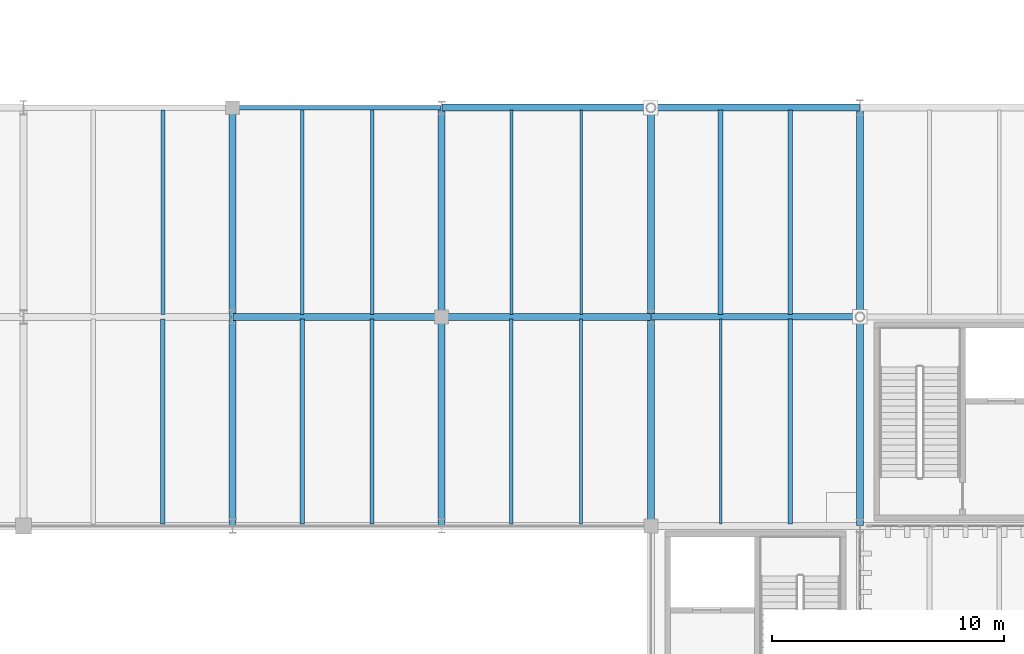
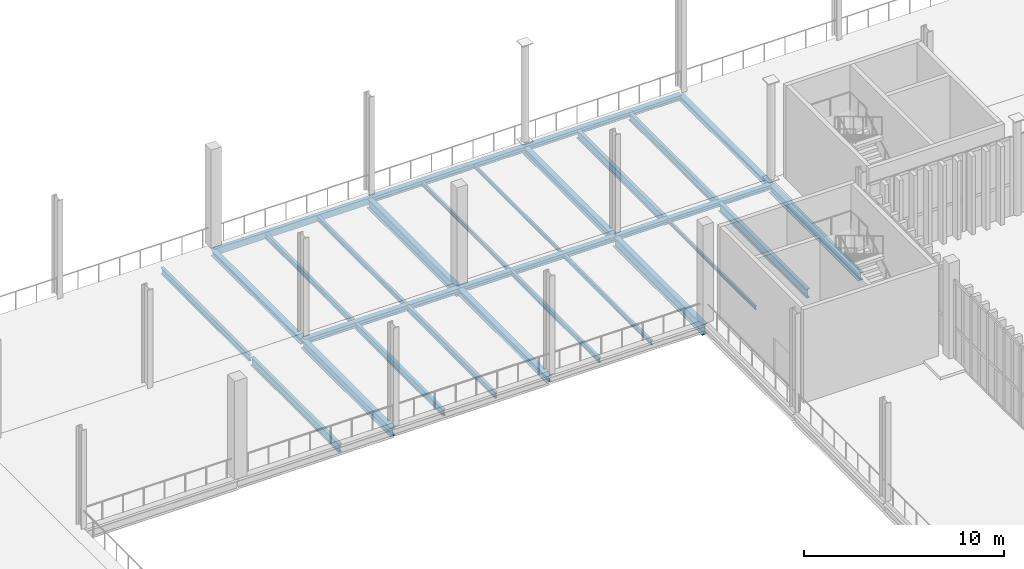
# One storey, part 56 of 211: 28 beams.
"""IFC4 building model written with IfcOpenShell, lengths in metres."""

from ifc_helpers import new_model, si_unit, direction, frame, origin, origin_2d, place, context, subcontext, project, spatial, hollow_rectangle, i_section, extrude, material, material_profile, profile_set, type_object, element, save


model = new_model("IFC4")

# Units and contexts
model_context = context("Model", 3, precision=1e-05, world=origin(), true_north=direction((0.0, 1.0)))
body_context = subcontext(model_context, "Body", "Model", "MODEL_VIEW")
ifc_project = project(units=[si_unit("LENGTHUNIT", "METRE"), si_unit("AREAUNIT", "SQUARE_METRE"), si_unit("VOLUMEUNIT", "CUBIC_METRE"), si_unit("PLANEANGLEUNIT", "RADIAN"), si_unit("MASSUNIT", "GRAM", prefix="KILO")], contexts=[model_context])

# Site, building, storey
site_placement = place(None, origin())
site = spatial("IfcSite", under=ifc_project, at=site_placement, CompositionType="ELEMENT")
building_placement = place(site_placement, origin())
building = spatial("IfcBuilding", under=site, at=building_placement, Name="Barlavento Convention Centre", CompositionType="ELEMENT")
storey_placement = place(building_placement, frame((0.0, 0.0, 6.0)))
storey = spatial("IfcBuildingStorey", under=building, at=storey_placement, Name="L01", CompositionType="ELEMENT", Elevation=6.0)

# Beams
ifc_material = material(Name="Steel S355", Category="steel")
ifc_material_profile_1 = material_profile(ifc_material, i_section(OverallWidth=0.110107421875, OverallDepth=0.219970703125, WebThickness=0.005859375, FlangeThickness=0.00927734375, FilletRadius=0.011962890625, at=origin_2d()), Name="IPE 220")
ifc_profile_set_1 = profile_set([ifc_material_profile_1], Name="Steel S355")
beam_type_1 = type_object("IfcBeamType", Name="STR-BM-JST-IPE220", PredefinedType="JOIST", material=ifc_profile_set_1)
for number, where, z_axis, x_axis, name in (
    (1, (57.0, 45.094970703125, -0.409912109375), (0.0, 1.0, 0.0), (-1.0, 0.0, 0.0), "L01 composite floor joist SJ10"),
    (2, (51.0, 54.094970703125, -0.409912109375), (0.0, 1.0, 0.0), (-1.0, 0.0, 0.0), "L01 composite floor joist SJ10"),
):
    element("IfcBeam", number, at=place(storey_placement, frame(where, z_axis=z_axis, x_axis=x_axis)), inside=storey, type_object=beam_type_1, Name=name, PredefinedType="JOIST", context=body_context, shape_type="SweptSolid", body=[
        extrude(i_section(OverallWidth=0.110107421875, OverallDepth=0.219970703125, WebThickness=0.005859375, FlangeThickness=0.00927734375, FilletRadius=0.011962890625, at=origin_2d()), origin(), (0.0, 0.0, 1.0), 8.81005859375),
    ])
ifc_material_profile_2 = material_profile(ifc_material, i_section(OverallWidth=0.1201171875, OverallDepth=0.239990234375, WebThickness=0.006103515625, FlangeThickness=0.009765625, FilletRadius=0.014892578125, at=origin_2d()), Name="IPE 240")
ifc_profile_set_2 = profile_set([ifc_material_profile_2], Name="Steel S355")
beam_type_2 = type_object("IfcBeamType", Name="STR-BM-JST-IPE240", PredefinedType="JOIST", material=ifc_profile_set_2)
beam_1_placement = place(storey_placement, frame((48.0, 54.094970703125, -0.419921875), z_axis=(0.0, 1.0, 0.0), x_axis=(-1.0, 0.0, 0.0)))
element("IfcBeam", 3, at=beam_1_placement, inside=storey, type_object=beam_type_2, Name="L01 composite floor joist SJ09", PredefinedType="JOIST", context=body_context, shape_type="SweptSolid", body=[
    extrude(i_section(OverallWidth=0.1201171875, OverallDepth=0.239990234375, WebThickness=0.006103515625, FlangeThickness=0.009765625, FilletRadius=0.014892578125, at=origin_2d()), origin(), (0.0, 0.0, 1.0), 8.81005859375),
])
ifc_material_profile_3 = material_profile(ifc_material, i_section(OverallWidth=0.135009765625, OverallDepth=0.27001953125, WebThickness=0.006591796875, FlangeThickness=0.01025390625, FilletRadius=0.014892578125, at=origin_2d()), Name="IPE 270")
ifc_profile_set_3 = profile_set([ifc_material_profile_3], Name="Steel S355")
beam_type_3 = type_object("IfcBeamType", Name="STR-BM-JST-IPE270", PredefinedType="JOIST", material=ifc_profile_set_3)
beam_2_placement = place(storey_placement, frame((51.0, 45.094970703125, -0.43505859375), z_axis=(0.0, 1.0, 0.0), x_axis=(-1.0, 0.0, 0.0)))
element("IfcBeam", 4, at=beam_2_placement, inside=storey, type_object=beam_type_3, Name="L01 composite floor joist SJ08", PredefinedType="JOIST", context=body_context, shape_type="SweptSolid", body=[
    extrude(i_section(OverallWidth=0.135009765625, OverallDepth=0.27001953125, WebThickness=0.006591796875, FlangeThickness=0.01025390625, FilletRadius=0.014892578125, at=origin_2d()), origin(), (0.0, 0.0, 1.0), 8.81005859375),
])
ifc_material_profile_4 = material_profile(ifc_material, i_section(OverallWidth=0.14990234375, OverallDepth=0.300048828125, WebThickness=0.007080078125, FlangeThickness=0.0107421875, FilletRadius=0.014892578125, at=origin_2d()), Name="IPE 300")
ifc_profile_set_4 = profile_set([ifc_material_profile_4], Name="Steel S355")
beam_type_4 = type_object("IfcBeamType", Name="STR-BM-JST-IPE300", PredefinedType="JOIST", material=ifc_profile_set_4)
for number, where, z_axis, x_axis, name in (
    (5, (48.0, 45.094970703125, -0.449951171875), (0.0, 1.0, 0.0), (-1.0, 0.0, 0.0), "L01 composite floor joist SJ07"),
    (6, (42.0, 54.094970703125, -0.449951171875), (0.0, 1.0, 0.0), (-1.0, 0.0, 0.0), "L01 composite floor joist SJ07"),
):
    element("IfcBeam", number, at=place(storey_placement, frame(where, z_axis=z_axis, x_axis=x_axis)), inside=storey, type_object=beam_type_4, Name=name, PredefinedType="JOIST", context=body_context, shape_type="SweptSolid", body=[
        extrude(i_section(OverallWidth=0.14990234375, OverallDepth=0.300048828125, WebThickness=0.007080078125, FlangeThickness=0.0107421875, FilletRadius=0.014892578125, at=origin_2d()), origin(), (0.0, 0.0, 1.0), 8.81005859375),
    ])
ifc_material_profile_5 = material_profile(ifc_material, i_section(OverallWidth=0.159912109375, OverallDepth=0.330078125, WebThickness=0.007568359375, FlangeThickness=0.011474609375, FilletRadius=0.01806640625, at=origin_2d()), Name="IPE 330")
ifc_profile_set_5 = profile_set([ifc_material_profile_5], Name="Steel S355")
beam_type_5 = type_object("IfcBeamType", Name="STR-BM-JST-IPE330", PredefinedType="JOIST", material=ifc_profile_set_5)
beam_3_placement = place(storey_placement, frame((39.0, 54.094970703125, -0.465087890625), z_axis=(0.0, 1.0, 0.0), x_axis=(-1.0, 0.0, 0.0)))
element("IfcBeam", 7, at=beam_3_placement, inside=storey, type_object=beam_type_5, Name="L01 composite floor joist SJ06", PredefinedType="JOIST", context=body_context, shape_type="SweptSolid", body=[
    extrude(i_section(OverallWidth=0.159912109375, OverallDepth=0.330078125, WebThickness=0.007568359375, FlangeThickness=0.011474609375, FilletRadius=0.01806640625, at=origin_2d()), origin(), (0.0, 0.0, 1.0), 8.81005859375),
])
ifc_material_profile_6 = material_profile(ifc_material, i_section(OverallWidth=0.169921875, OverallDepth=0.360107421875, WebThickness=0.008056640625, FlangeThickness=0.0126953125, FilletRadius=0.01806640625, at=origin_2d()), Name="IPE 360")
ifc_profile_set_6 = profile_set([ifc_material_profile_6], Name="Steel S355")
beam_type_6 = type_object("IfcBeamType", Name="STR-BM-JST-IPE360", PredefinedType="JOIST", material=ifc_profile_set_6)
beam_4_placement = place(storey_placement, frame((42.0, 45.094970703125, -0.47998046875), z_axis=(0.0, 1.0, 0.0), x_axis=(-1.0, 0.0, 0.0)))
element("IfcBeam", 8, at=beam_4_placement, inside=storey, type_object=beam_type_6, Name="L01 composite floor joist SJ05", PredefinedType="JOIST", context=body_context, shape_type="SweptSolid", body=[
    extrude(i_section(OverallWidth=0.169921875, OverallDepth=0.360107421875, WebThickness=0.008056640625, FlangeThickness=0.0126953125, FilletRadius=0.01806640625, at=origin_2d()), origin(), (0.0, 0.0, 1.0), 8.81005859375),
])
ifc_material_profile_7 = material_profile(ifc_material, i_section(OverallWidth=0.179931640625, OverallDepth=0.39990234375, WebThickness=0.008544921875, FlangeThickness=0.013427734375, FilletRadius=0.02099609375, at=origin_2d()), Name="IPE 400")
ifc_profile_set_7 = profile_set([ifc_material_profile_7], Name="Steel S355")
beam_type_7 = type_object("IfcBeamType", Name="STR-BM-JST-IPE400", PredefinedType="JOIST", material=ifc_profile_set_7)
for number, where, z_axis, x_axis, name in (
    (9, (39.0, 45.094970703125, -0.5), (0.0, 1.0, 0.0), (-1.0, 0.0, 0.0), "L01 composite floor joist SJ04"),
    (10, (33.0, 54.094970703125, -0.5), (0.0, 1.0, 0.0), (-1.0, 0.0, 0.0), "L01 composite floor joist SJ04"),
):
    element("IfcBeam", number, at=place(storey_placement, frame(where, z_axis=z_axis, x_axis=x_axis)), inside=storey, type_object=beam_type_7, Name=name, PredefinedType="JOIST", context=body_context, shape_type="SweptSolid", body=[
        extrude(i_section(OverallWidth=0.179931640625, OverallDepth=0.39990234375, WebThickness=0.008544921875, FlangeThickness=0.013427734375, FilletRadius=0.02099609375, at=origin_2d()), origin(), (0.0, 0.0, 1.0), 8.81005859375),
    ])
ifc_material_profile_8 = material_profile(ifc_material, i_section(OverallWidth=0.18994140625, OverallDepth=0.449951171875, WebThickness=0.009521484375, FlangeThickness=0.0146484375, FilletRadius=0.02099609375, at=origin_2d()), Name="IPE 450")
ifc_profile_set_8 = profile_set([ifc_material_profile_8], Name="Steel S355")
beam_type_8 = type_object("IfcBeamType", Name="STR-BM-JST-IPE450", PredefinedType="JOIST", material=ifc_profile_set_8)
beam_5_placement = place(storey_placement, frame((60.0, 54.094970703125, -0.52490234375), z_axis=(0.0, 1.0, 0.0), x_axis=(-1.0, 0.0, 0.0)))
element("IfcBeam", 11, at=beam_5_placement, inside=storey, type_object=beam_type_8, Name="L01 composite floor joist SJ03", PredefinedType="JOIST", context=body_context, shape_type="SweptSolid", body=[
    extrude(i_section(OverallWidth=0.18994140625, OverallDepth=0.449951171875, WebThickness=0.009521484375, FlangeThickness=0.0146484375, FilletRadius=0.02099609375, at=origin_2d()), origin(), (0.0, 0.0, 1.0), 8.81005859375),
])
ifc_material_profile_9 = material_profile(ifc_material, i_section(OverallWidth=0.199951171875, OverallDepth=0.5, WebThickness=0.01025390625, FlangeThickness=0.01611328125, FilletRadius=0.02099609375, at=origin_2d()), Name="IPE 500")
ifc_profile_set_9 = profile_set([ifc_material_profile_9], Name="Steel S355")
beam_type_9 = type_object("IfcBeamType", Name="STR-BM-JST-IPE500", PredefinedType="JOIST", material=ifc_profile_set_9)
for number, where, z_axis, x_axis, name in (
    (12, (33.0, 45.094970703125, -0.550048828125), (0.0, 1.0, 0.0), (-1.0, 0.0, 0.0), "L01 composite floor joist SJ02"),
    (13, (57.0, 54.094970703125, -0.550048828125), (0.0, 1.0, 0.0), (-1.0, 0.0, 0.0), "L01 composite floor joist SJ02"),
):
    element("IfcBeam", number, at=place(storey_placement, frame(where, z_axis=z_axis, x_axis=x_axis)), inside=storey, type_object=beam_type_9, Name=name, PredefinedType="JOIST", context=body_context, shape_type="SweptSolid", body=[
        extrude(i_section(OverallWidth=0.199951171875, OverallDepth=0.5, WebThickness=0.01025390625, FlangeThickness=0.01611328125, FilletRadius=0.02099609375, at=origin_2d()), origin(), (0.0, 0.0, 1.0), 8.81005859375),
    ])
ifc_material_profile_10 = material_profile(ifc_material, i_section(OverallWidth=0.2099609375, OverallDepth=0.550048828125, WebThickness=0.010986328125, FlangeThickness=0.01708984375, FilletRadius=0.02392578125, at=origin_2d()), Name="IPE 550")
ifc_profile_set_10 = profile_set([ifc_material_profile_10], Name="Steel S355")
beam_type_10 = type_object("IfcBeamType", Name="STR-BM-JST-IPE550", PredefinedType="JOIST", material=ifc_profile_set_10)
beam_6_placement = place(storey_placement, frame((60.0, 45.094970703125, -0.574951171875), z_axis=(0.0, 1.0, 0.0), x_axis=(-1.0, 0.0, 0.0)))
element("IfcBeam", 14, at=beam_6_placement, inside=storey, type_object=beam_type_10, Name="L01 composite floor joist SJ01", PredefinedType="JOIST", context=body_context, shape_type="SweptSolid", body=[
    extrude(i_section(OverallWidth=0.2099609375, OverallDepth=0.550048828125, WebThickness=0.010986328125, FlangeThickness=0.01708984375, FilletRadius=0.02392578125, at=origin_2d()), origin(), (0.0, 0.0, 1.0), 8.81005859375),
])
ifc_material_profile_11 = material_profile(ifc_material, i_section(OverallWidth=0.300048828125, OverallDepth=0.330078125, WebThickness=0.009521484375, FlangeThickness=0.0166015625, FilletRadius=0.027099609375, at=origin_2d()), Name="HEA 340")
ifc_profile_set_11 = profile_set([ifc_material_profile_11], Name="Steel S355")
beam_type_11 = type_object("IfcBeamType", Name="STR-BM-PRI-HEA340", PredefinedType="BEAM", material=ifc_profile_set_11)
beam_7_placement = place(storey_placement, frame((63.0, 54.02001953125, -0.465087890625), z_axis=(0.0, 1.0, 0.0), x_axis=(-1.0, 0.0, 0.0)))
element("IfcBeam", 15, at=beam_7_placement, inside=storey, type_object=beam_type_11, Name="L01 grid girder BG24", PredefinedType="BEAM", context=body_context, shape_type="SweptSolid", body=[
    extrude(i_section(OverallWidth=0.300048828125, OverallDepth=0.330078125, WebThickness=0.009521484375, FlangeThickness=0.0166015625, FilletRadius=0.027099609375, at=origin_2d()), origin(), (0.0, 0.0, 1.0), 8.9599609375),
])
ifc_material_profile_12 = material_profile(ifc_material, i_section(OverallWidth=0.300048828125, OverallDepth=0.35009765625, WebThickness=0.010009765625, FlangeThickness=0.017578125, FilletRadius=0.027099609375, at=origin_2d()), Name="HEA 360")
ifc_profile_set_12 = profile_set([ifc_material_profile_12], Name="Steel S355")
beam_type_12 = type_object("IfcBeamType", Name="STR-BM-PRI-HEA360", PredefinedType="BEAM", material=ifc_profile_set_12)
beam_8_placement = place(storey_placement, frame((36.0, 54.02001953125, -0.47509765625), z_axis=(0.0, 1.0, 0.0), x_axis=(-1.0, 0.0, 0.0)))
element("IfcBeam", 16, at=beam_8_placement, inside=storey, type_object=beam_type_12, Name="L01 grid girder BG23", PredefinedType="BEAM", context=body_context, shape_type="SweptSolid", body=[
    extrude(i_section(OverallWidth=0.300048828125, OverallDepth=0.35009765625, WebThickness=0.010009765625, FlangeThickness=0.017578125, FilletRadius=0.027099609375, at=origin_2d()), origin(), (0.0, 0.0, 1.0), 8.9599609375),
])
ifc_material_profile_13 = material_profile(ifc_material, i_section(OverallWidth=0.300048828125, OverallDepth=0.389892578125, WebThickness=0.010986328125, FlangeThickness=0.01904296875, FilletRadius=0.027099609375, at=origin_2d()), Name="HEA 400")
ifc_profile_set_13 = profile_set([ifc_material_profile_13], Name="Steel S355")
beam_type_13 = type_object("IfcBeamType", Name="STR-BM-PRI-HEA400", PredefinedType="BEAM", material=ifc_profile_set_13)
beam_9_placement = place(storey_placement, frame((45.0, 45.02001953125, -0.4951171875), z_axis=(0.0, 1.0, 0.0), x_axis=(-1.0, 0.0, 0.0)))
element("IfcBeam", 17, at=beam_9_placement, inside=storey, type_object=beam_type_13, Name="L01 grid girder BG22", PredefinedType="BEAM", context=body_context, shape_type="SweptSolid", body=[
    extrude(i_section(OverallWidth=0.300048828125, OverallDepth=0.389892578125, WebThickness=0.010986328125, FlangeThickness=0.01904296875, FilletRadius=0.027099609375, at=origin_2d()), origin(), (0.0, 0.0, 1.0), 8.9599609375),
])
ifc_material_profile_14 = material_profile(ifc_material, i_section(OverallWidth=0.300048828125, OverallDepth=0.43994140625, WebThickness=0.011474609375, FlangeThickness=0.02099609375, FilletRadius=0.027099609375, at=origin_2d()), Name="HEA 450")
ifc_profile_set_14 = profile_set([ifc_material_profile_14], Name="Steel S355")
beam_type_14 = type_object("IfcBeamType", Name="STR-BM-PRI-HEA450", PredefinedType="BEAM", material=ifc_profile_set_14)
beam_10_placement = place(storey_placement, frame((54.0, 54.02001953125, -0.52001953125), z_axis=(0.0, 1.0, 0.0), x_axis=(-1.0, 0.0, 0.0)))
element("IfcBeam", 18, at=beam_10_placement, inside=storey, type_object=beam_type_14, Name="L01 grid girder BG21", PredefinedType="BEAM", context=body_context, shape_type="SweptSolid", body=[
    extrude(i_section(OverallWidth=0.300048828125, OverallDepth=0.43994140625, WebThickness=0.011474609375, FlangeThickness=0.02099609375, FilletRadius=0.027099609375, at=origin_2d()), origin(), (0.0, 0.0, 1.0), 8.9599609375),
])
ifc_material_profile_15 = material_profile(ifc_material, i_section(OverallWidth=0.300048828125, OverallDepth=0.489990234375, WebThickness=0.011962890625, FlangeThickness=0.02294921875, FilletRadius=0.027099609375, at=origin_2d()), Name="HEA 500")
ifc_profile_set_15 = profile_set([ifc_material_profile_15], Name="Steel S355")
beam_type_15 = type_object("IfcBeamType", Name="STR-BM-PRI-HEA500", PredefinedType="BEAM", material=ifc_profile_set_15)
beam_11_placement = place(storey_placement, frame((63.0, 45.02001953125, -0.544921875), z_axis=(0.0, 1.0, 0.0), x_axis=(-1.0, 0.0, 0.0)))
element("IfcBeam", 19, at=beam_11_placement, inside=storey, type_object=beam_type_15, Name="L01 grid girder BG20", PredefinedType="BEAM", context=body_context, shape_type="SweptSolid", body=[
    extrude(i_section(OverallWidth=0.300048828125, OverallDepth=0.489990234375, WebThickness=0.011962890625, FlangeThickness=0.02294921875, FilletRadius=0.027099609375, at=origin_2d()), origin(), (0.0, 0.0, 1.0), 8.9599609375),
])
ifc_material_profile_16 = material_profile(ifc_material, i_section(OverallWidth=0.300048828125, OverallDepth=0.5400390625, WebThickness=0.012451171875, FlangeThickness=0.02392578125, FilletRadius=0.027099609375, at=origin_2d()), Name="HEA 550")
ifc_profile_set_16 = profile_set([ifc_material_profile_16], Name="Steel S355")
beam_type_16 = type_object("IfcBeamType", Name="STR-BM-PRI-HEA550", PredefinedType="BEAM", material=ifc_profile_set_16)
beam_12_placement = place(storey_placement, frame((36.0, 45.02001953125, -0.570068359375), z_axis=(0.0, 1.0, 0.0), x_axis=(-1.0, 0.0, 0.0)))
element("IfcBeam", 20, at=beam_12_placement, inside=storey, type_object=beam_type_16, Name="L01 grid girder BG19", PredefinedType="BEAM", context=body_context, shape_type="SweptSolid", body=[
    extrude(i_section(OverallWidth=0.300048828125, OverallDepth=0.5400390625, WebThickness=0.012451171875, FlangeThickness=0.02392578125, FilletRadius=0.027099609375, at=origin_2d()), origin(), (0.0, 0.0, 1.0), 8.9599609375),
])
ifc_material_profile_17 = material_profile(ifc_material, i_section(OverallWidth=0.300048828125, OverallDepth=0.590087890625, WebThickness=0.012939453125, FlangeThickness=0.02490234375, FilletRadius=0.027099609375, at=origin_2d()), Name="HEA 600")
ifc_profile_set_17 = profile_set([ifc_material_profile_17], Name="Steel S355")
beam_type_17 = type_object("IfcBeamType", Name="STR-BM-PRI-HEA600", PredefinedType="BEAM", material=ifc_profile_set_17)
beam_13_placement = place(storey_placement, frame((45.0, 54.02001953125, -0.594970703125), z_axis=(0.0, 1.0, 0.0), x_axis=(-1.0, 0.0, 0.0)))
element("IfcBeam", 21, at=beam_13_placement, inside=storey, type_object=beam_type_17, Name="L01 grid girder BG18", PredefinedType="BEAM", context=body_context, shape_type="SweptSolid", body=[
    extrude(i_section(OverallWidth=0.300048828125, OverallDepth=0.590087890625, WebThickness=0.012939453125, FlangeThickness=0.02490234375, FilletRadius=0.027099609375, at=origin_2d()), origin(), (0.0, 0.0, 1.0), 8.9599609375),
])
ifc_material_profile_18 = material_profile(ifc_material, i_section(OverallWidth=0.300048828125, OverallDepth=0.639892578125, WebThickness=0.013427734375, FlangeThickness=0.02587890625, FilletRadius=0.027099609375, at=origin_2d()), Name="HEA 650")
ifc_profile_set_18 = profile_set([ifc_material_profile_18], Name="Steel S355")
beam_type_18 = type_object("IfcBeamType", Name="STR-BM-PRI-HEA650", PredefinedType="BEAM", material=ifc_profile_set_18)
beam_14_placement = place(storey_placement, frame((54.0, 45.02001953125, -0.6201171875), z_axis=(0.0, 1.0, 0.0), x_axis=(-1.0, 0.0, 0.0)))
element("IfcBeam", 22, at=beam_14_placement, inside=storey, type_object=beam_type_18, Name="L01 grid girder BG17", PredefinedType="BEAM", context=body_context, shape_type="SweptSolid", body=[
    extrude(i_section(OverallWidth=0.300048828125, OverallDepth=0.639892578125, WebThickness=0.013427734375, FlangeThickness=0.02587890625, FilletRadius=0.027099609375, at=origin_2d()), origin(), (0.0, 0.0, 1.0), 8.9599609375),
])
ifc_material_profile_19 = material_profile(ifc_material, i_section(OverallWidth=0.280029296875, OverallDepth=0.280029296875, WebThickness=0.010498046875, FlangeThickness=0.01806640625, FilletRadius=0.02392578125, at=origin_2d()), Name="HEB 280")
ifc_profile_set_19 = profile_set([ifc_material_profile_19], Name="Steel S355")
beam_type_19 = type_object("IfcBeamType", Name="STR-BM-PRI-HEB280", PredefinedType="BEAM", material=ifc_profile_set_19)
beam_15_placement = place(storey_placement, frame((54.02001953125, 54.0, -0.43994140625), z_axis=(1.0, 0.0, 0.0), x_axis=(0.0, 1.0, 0.0)))
element("IfcBeam", 23, at=beam_15_placement, inside=storey, type_object=beam_type_19, Name="L01 primary girder BG15", PredefinedType="BEAM", context=body_context, shape_type="SweptSolid", body=[
    extrude(i_section(OverallWidth=0.280029296875, OverallDepth=0.280029296875, WebThickness=0.010498046875, FlangeThickness=0.01806640625, FilletRadius=0.02392578125, at=origin_2d()), origin(), (0.0, 0.0, 1.0), 8.9599609375),
])
ifc_material_profile_20 = material_profile(ifc_material, i_section(OverallWidth=0.300048828125, OverallDepth=0.300048828125, WebThickness=0.010986328125, FlangeThickness=0.01904296875, FilletRadius=0.027099609375, at=origin_2d()), Name="HEB 300")
ifc_profile_set_20 = profile_set([ifc_material_profile_20], Name="Steel S355")
beam_type_20 = type_object("IfcBeamType", Name="STR-BM-PRI-HEB300", PredefinedType="BEAM", material=ifc_profile_set_20)
beam_16_placement = place(storey_placement, frame((45.02001953125, 54.0, -0.449951171875), z_axis=(1.0, 0.0, 0.0), x_axis=(0.0, 1.0, 0.0)))
element("IfcBeam", 24, at=beam_16_placement, inside=storey, type_object=beam_type_20, Name="L01 primary girder BG14", PredefinedType="BEAM", context=body_context, shape_type="SweptSolid", body=[
    extrude(i_section(OverallWidth=0.300048828125, OverallDepth=0.300048828125, WebThickness=0.010986328125, FlangeThickness=0.01904296875, FilletRadius=0.027099609375, at=origin_2d()), origin(), (0.0, 0.0, 1.0), 8.9599609375),
])
ifc_material_profile_21 = material_profile(ifc_material, i_section(OverallWidth=0.300048828125, OverallDepth=0.320068359375, WebThickness=0.011474609375, FlangeThickness=0.0205078125, FilletRadius=0.027099609375, at=origin_2d()), Name="HEB 320")
ifc_profile_set_21 = profile_set([ifc_material_profile_21], Name="Steel S355")
beam_type_21 = type_object("IfcBeamType", Name="STR-BM-PRI-HEB320", PredefinedType="BEAM", material=ifc_profile_set_21)
beam_17_placement = place(storey_placement, frame((36.02001953125, 54.0, -0.4599609375), z_axis=(1.0, 0.0, 0.0), x_axis=(0.0, 1.0, 0.0)))
element("IfcBeam", 25, at=beam_17_placement, inside=storey, type_object=beam_type_21, Name="L01 primary girder BG13", PredefinedType="BEAM", context=body_context, shape_type="SweptSolid", body=[
    extrude(i_section(OverallWidth=0.300048828125, OverallDepth=0.320068359375, WebThickness=0.011474609375, FlangeThickness=0.0205078125, FilletRadius=0.027099609375, at=origin_2d()), origin(), (0.0, 0.0, 1.0), 8.9599609375),
])
ifc_material_profile_22 = material_profile(ifc_material, i_section(OverallWidth=0.300048828125, OverallDepth=0.2900390625, WebThickness=0.008544921875, FlangeThickness=0.013916015625, FilletRadius=0.027099609375, at=origin_2d()), Name="HEA 300")
ifc_profile_set_22 = profile_set([ifc_material_profile_22], Name="Steel S355")
beam_type_22 = type_object("IfcBeamType", Name="STR-BM-SPN-HEA300", PredefinedType="SPANDREL", material=ifc_profile_set_22)
beam_18_placement = place(storey_placement, frame((54.02001953125, 63.0, -0.425048828125), z_axis=(1.0, 0.0, 0.0), x_axis=(0.0, 1.0, 0.0)))
element("IfcBeam", 26, at=beam_18_placement, inside=storey, type_object=beam_type_22, Name="L01 primary girder SP02", PredefinedType="SPANDREL", context=body_context, shape_type="SweptSolid", body=[
    extrude(i_section(OverallWidth=0.300048828125, OverallDepth=0.2900390625, WebThickness=0.008544921875, FlangeThickness=0.013916015625, FilletRadius=0.027099609375, at=origin_2d()), origin(), (0.0, 0.0, 1.0), 8.9599609375),
])
ifc_material_profile_23 = material_profile(ifc_material, i_section(OverallWidth=0.300048828125, OverallDepth=0.31005859375, WebThickness=0.009033203125, FlangeThickness=0.015380859375, FilletRadius=0.027099609375, at=origin_2d()), Name="HEA 320")
ifc_profile_set_23 = profile_set([ifc_material_profile_23], Name="Steel S355")
beam_type_23 = type_object("IfcBeamType", Name="STR-BM-SPN-HEA320", PredefinedType="SPANDREL", material=ifc_profile_set_23)
beam_19_placement = place(storey_placement, frame((45.02001953125, 63.0, -0.43505859375), z_axis=(1.0, 0.0, 0.0), x_axis=(0.0, 1.0, 0.0)))
element("IfcBeam", 27, at=beam_19_placement, inside=storey, type_object=beam_type_23, Name="L01 primary girder SP01", PredefinedType="SPANDREL", context=body_context, shape_type="SweptSolid", body=[
    extrude(i_section(OverallWidth=0.300048828125, OverallDepth=0.31005859375, WebThickness=0.009033203125, FlangeThickness=0.015380859375, FilletRadius=0.027099609375, at=origin_2d()), origin(), (0.0, 0.0, 1.0), 8.9599609375),
])
ifc_material_profile_24 = material_profile(ifc_material, hollow_rectangle(XDim=0.199951171875, YDim=0.39990234375, WallThickness=0.01611328125, at=origin_2d()), Name="RHS 400x200x16.0")
ifc_profile_set_24 = profile_set([ifc_material_profile_24], Name="Steel S355")
beam_type_24 = type_object("IfcBeamType", Name="STR-BM-SPN-RHS400", PredefinedType="SPANDREL", material=ifc_profile_set_24)
beam_20_placement = place(storey_placement, frame((36.02001953125, 63.0, -0.47998046875), z_axis=(1.0, 0.0, 0.0), x_axis=(0.0, 1.0, 0.0)))
element("IfcBeam", 28, at=beam_20_placement, inside=storey, type_object=beam_type_24, Name="L01 primary girder SP06", PredefinedType="SPANDREL", context=body_context, shape_type="SweptSolid", body=[
    extrude(hollow_rectangle(XDim=0.199951171875, YDim=0.39990234375, WallThickness=0.01611328125, at=origin_2d()), origin(), (0.0, 0.0, 1.0), 8.9599609375),
])

save(model, "model.ifc")
